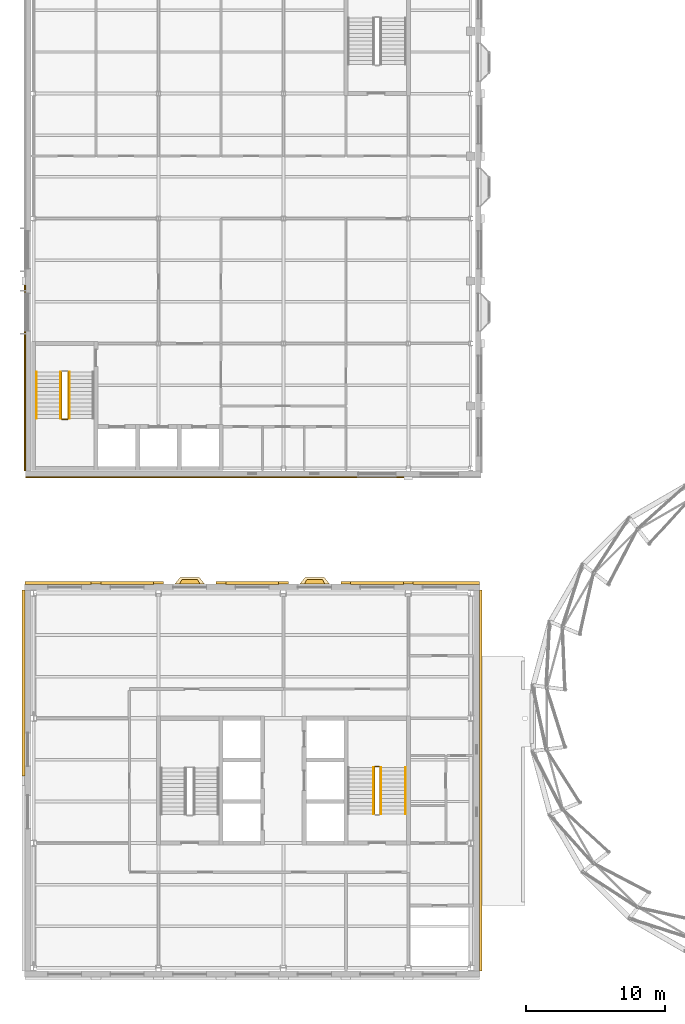
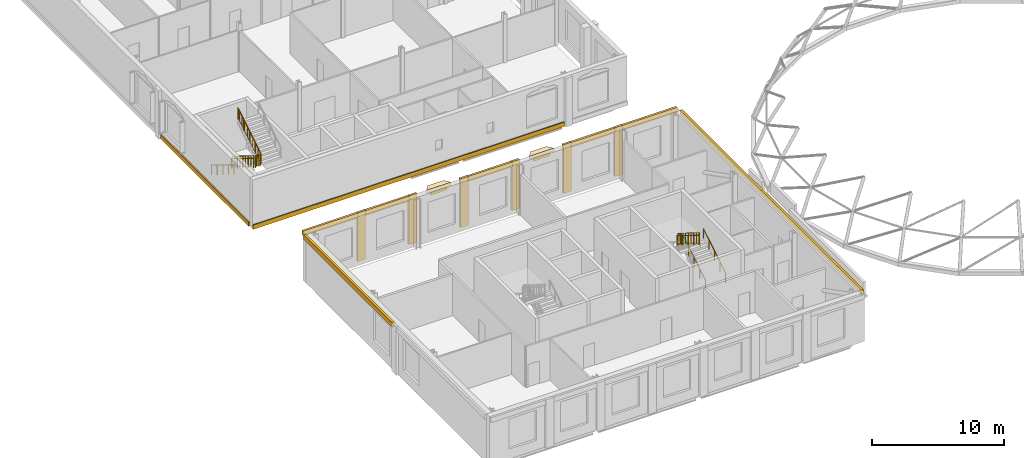
# One storey, part 50 of 59: 19 coverings, 11 railings.
"""IFC4 building model written with IfcOpenShell, lengths in metres."""

from ifc_helpers import new_model, si_unit, direction, frame, origin, origin_2d, place, context, subcontext, project, spatial, polyline, rectangle, circle, outline, extrude, material, layer, layer_set, type_object, element, save


model = new_model("IFC4")

# Units and contexts
model_context = context("Model", 3, precision=1e-05, world=origin(), true_north=direction((0.0, 1.0)))
body_context = subcontext(model_context, "Body", "Model", "MODEL_VIEW")
ifc_project = project(units=[si_unit("LENGTHUNIT", "METRE"), si_unit("AREAUNIT", "SQUARE_METRE"), si_unit("VOLUMEUNIT", "CUBIC_METRE"), si_unit("PLANEANGLEUNIT", "RADIAN"), si_unit("MASSUNIT", "GRAM", prefix="KILO")], contexts=[model_context])

# Site, building, storey
site_placement = place(None, origin())
site = spatial("IfcSite", under=ifc_project, at=site_placement, CompositionType="ELEMENT")
building_placement = place(site_placement, origin())
building = spatial("IfcBuilding", under=site, at=building_placement, Name="Hortulan Conservatory and Botanical Research Centre", CompositionType="ELEMENT")
storey_placement = place(building_placement, frame((0.0, 0.0, 10.5)))
storey = spatial("IfcBuildingStorey", under=building, at=storey_placement, Name="L02", CompositionType="ELEMENT", Elevation=10.5)

# Coverings
ifc_material_1 = material(Name="Faience cladding, harbour teal glaze (non-combustible)", Category="ceramic")
ifc_layer_1 = layer(ifc_material_1, 0.10009765625)
ifc_layer_set_1 = layer_set([ifc_layer_1], Name="Faience String Course 400x100 Teal")
covering_type_1 = type_object("IfcCoveringType", Name="Faience String Course 400x100 Teal", PredefinedType="CLADDING", material=ifc_layer_set_1)
covering_1_placement = place(storey_placement, frame((13.05029296875, 35.364501953125, 0.0), z_axis=(0.0, 0.0, 1.0), x_axis=(-1.0, 0.0, 0.0)))
element("IfcCovering", 1, at=covering_1_placement, inside=storey, type_object=covering_type_1, Name="String course", PredefinedType="CLADDING", context=body_context, shape_type="SweptSolid", body=[
    extrude(rectangle(XDim=27.259521484375, YDim=0.10009765625, at=origin_2d()), origin(), (0.0, 0.0, 1.0), 0.39990234375),
])
covering_2_placement = place(storey_placement, frame((-0.62939453125, 42.500244140625, 0.0), z_axis=(0.0, 0.0, 1.0), x_axis=(0.0, 1.0, 0.0)))
element("IfcCovering", 2, at=covering_2_placement, inside=storey, type_object=covering_type_1, Name="String course", PredefinedType="CLADDING", context=body_context, shape_type="SweptSolid", body=[
    extrude(rectangle(XDim=13.359619140625, YDim=0.10009765625, at=origin_2d()), origin(), (0.0, 0.0, 1.0), 0.39990234375),
])
ifc_material_2 = material(Name="Sandstone masonry (Hawkesbury yellow block)", Category="masonry")
ifc_layer_2 = layer(ifc_material_2, 0.199951171875)
ifc_layer_set_2 = layer_set([ifc_layer_2], Name="Sandstone Cornice Course 450x200")
covering_type_2 = type_object("IfcCoveringType", Name="Sandstone Cornice Course 450x200", PredefinedType="CLADDING", material=ifc_layer_set_2)
covering_3_placement = place(storey_placement, frame((-0.72509765625, 20.5224609375, 4.0498046875), z_axis=(0.0, 0.0, 1.0), x_axis=(0.0, 1.0, 0.0)))
element("IfcCovering", 3, at=covering_3_placement, inside=storey, type_object=covering_type_2, Name="String course", PredefinedType="CLADDING", context=body_context, shape_type="SweptSolid", body=[
    extrude(rectangle(XDim=13.405029296875, YDim=0.199951171875, at=origin_2d()), origin(), (0.0, 0.0, 1.0), 0.449951171875),
])
covering_4_placement = place(storey_placement, frame((1.777587890625, 27.736083984375, 4.0498046875), z_axis=(0.0, 0.0, 1.0), x_axis=(1.0, 0.0, 0.0)))
element("IfcCovering", 4, at=covering_4_placement, inside=storey, type_object=covering_type_2, Name="String course", PredefinedType="CLADDING", context=body_context, shape_type="SweptSolid", body=[
    extrude(rectangle(XDim=4.804931640625, YDim=0.199951171875, at=origin_2d()), origin(), (0.0, 0.0, 1.0), 0.449951171875),
])
for number, where, z_axis, x_axis, name in (
    (5, (6.75, 27.736083984375, 4.0498046875), (0.0, 0.0, 1.0), (1.0, 0.0, 0.0), "String course"),
    (6, (15.75, 27.736083984375, 4.0498046875), (0.0, 0.0, 1.0), (1.0, 0.0, 0.0), "String course"),
    (7, (24.75, 27.736083984375, 4.0498046875), (0.0, 0.0, 1.0), (1.0, 0.0, 0.0), "String course"),
):
    element("IfcCovering", number, at=place(storey_placement, frame(where, z_axis=z_axis, x_axis=x_axis)), inside=storey, type_object=covering_type_2, Name=name, PredefinedType="CLADDING", context=body_context, shape_type="SweptSolid", body=[
        extrude(rectangle(XDim=3.860107421875, YDim=0.199951171875, at=origin_2d()), origin(), (0.0, 0.0, 1.0), 0.449951171875),
    ])
covering_5_placement = place(storey_placement, frame((29.722412109375, 27.736083984375, 4.0498046875), z_axis=(0.0, 0.0, 1.0), x_axis=(1.0, 0.0, 0.0)))
element("IfcCovering", 8, at=covering_5_placement, inside=storey, type_object=covering_type_2, Name="String course", PredefinedType="CLADDING", context=body_context, shape_type="SweptSolid", body=[
    extrude(rectangle(XDim=4.804931640625, YDim=0.199951171875, at=origin_2d()), origin(), (0.0, 0.0, 1.0), 0.449951171875),
])
covering_6_placement = place(storey_placement, frame((32.22509765625, 13.5, 4.0498046875), z_axis=(0.0, 0.0, 1.0), x_axis=(0.0, -1.0, 0.0)))
element("IfcCovering", 9, at=covering_6_placement, inside=storey, type_object=covering_type_2, Name="String course", PredefinedType="CLADDING", context=body_context, shape_type="SweptSolid", body=[
    extrude(rectangle(XDim=27.449951171875, YDim=0.199951171875, at=origin_2d()), origin(), (0.0, 0.0, 1.0), 0.449951171875),
])
covering_type_3 = type_object("IfcCoveringType", Name="Sandstone Oriel Corbel", PredefinedType="CLADDING", material=ifc_material_2)
covering_7_placement = place(storey_placement, frame((0.0, 0.0, 4.199951171875)))
element("IfcCovering", 10, at=covering_7_placement, inside=storey, type_object=covering_type_3, Name="Oriel corbel", PredefinedType="CLADDING", context=body_context, shape_type="SweptSolid", body=[
    extrude(outline(polyline([(10.169921875, 27.660888671875), (10.553955078125, 28.14111328125), (11.946044921875, 28.14111328125), (12.330078125, 27.660888671875), (10.169921875, 27.660888671875)])), origin(), (0.0, 0.0, 1.0), 0.300048828125),
])
covering_8_placement = place(storey_placement, frame((0.0, 0.0, 3.89990234375)))
element("IfcCovering", 11, at=covering_8_placement, inside=storey, type_object=covering_type_3, Name="Oriel corbel", PredefinedType="CLADDING", context=body_context, shape_type="SweptSolid", body=[
    extrude(outline(polyline([(10.507568359375, 27.660888671875), (10.68896484375, 27.990966796875), (11.81103515625, 27.990966796875), (11.992431640625, 27.660888671875), (10.507568359375, 27.660888671875)])), origin(), (0.0, 0.0, 1.0), 0.300048828125),
])
covering_9_placement = place(storey_placement, frame((0.0, 0.0, 4.199951171875)))
element("IfcCovering", 12, at=covering_9_placement, inside=storey, type_object=covering_type_3, Name="Oriel corbel", PredefinedType="CLADDING", context=body_context, shape_type="SweptSolid", body=[
    extrude(outline(polyline([(19.169921875, 27.660888671875), (19.553955078125, 28.14111328125), (20.946044921875, 28.14111328125), (21.330078125, 27.660888671875), (19.169921875, 27.660888671875)])), origin(), (0.0, 0.0, 1.0), 0.300048828125),
])
covering_10_placement = place(storey_placement, frame((0.0, 0.0, 3.89990234375)))
element("IfcCovering", 13, at=covering_10_placement, inside=storey, type_object=covering_type_3, Name="Oriel corbel", PredefinedType="CLADDING", context=body_context, shape_type="SweptSolid", body=[
    extrude(outline(polyline([(19.507568359375, 27.660888671875), (19.68896484375, 27.990966796875), (20.81103515625, 27.990966796875), (20.992431640625, 27.660888671875), (19.507568359375, 27.660888671875)])), origin(), (0.0, 0.0, 1.0), 0.300048828125),
])
ifc_layer_3 = layer(ifc_material_2, 0.199951171875)
ifc_layer_set_3 = layer_set([ifc_layer_3], Name="Sandstone Pilaster 700x200")
covering_type_4 = type_object("IfcCoveringType", Name="Sandstone Pilaster 700x200", PredefinedType="CLADDING", material=ifc_layer_set_3)
for number, where, z_axis, x_axis, name in (
    (14, (4.5, 27.760986328125, 0.0), (0.0, 0.0, 1.0), (1.0, 0.0, 0.0), "Pier"),
    (15, (9.0, 27.760986328125, 0.0), (0.0, 0.0, 1.0), (1.0, 0.0, 0.0), "Pier"),
    (16, (13.5, 27.760986328125, 0.0), (0.0, 0.0, 1.0), (1.0, 0.0, 0.0), "Pier"),
    (17, (18.0, 27.760986328125, 0.0), (0.0, 0.0, 1.0), (1.0, 0.0, 0.0), "Pier"),
    (18, (22.5, 27.760986328125, 0.0), (0.0, 0.0, 1.0), (1.0, 0.0, 0.0), "Pier"),
    (19, (27.0, 27.760986328125, 0.0), (0.0, 0.0, 1.0), (1.0, 0.0, 0.0), "Pier"),
):
    element("IfcCovering", number, at=place(storey_placement, frame(where, z_axis=z_axis, x_axis=x_axis)), inside=storey, type_object=covering_type_4, Name=name, PredefinedType="CLADDING", context=body_context, shape_type="SweptSolid", body=[
        extrude(rectangle(XDim=0.699951171875, YDim=0.199951171875, at=origin_2d()), origin(), (0.0, 0.0, 1.0), 4.5),
    ])

# Railings
ifc_material_3 = material(Name="Steel balustrade, bronze-charcoal paint", Category="steel")
railing_type_1 = type_object("IfcRailingType", Name="Stair Guard 1100", PredefinedType="GUARDRAIL", material=ifc_material_3)
railing_1_placement = place(storey_placement, frame((24.89990234375, 14.510009765625, 2.25)))
element("IfcRailing", 20, at=railing_1_placement, inside=storey, type_object=railing_type_1, Name="Guard T2 L02 stair 2", PredefinedType="GUARDRAIL", context=body_context, shape_type="SweptSolid", body=[
    extrude(circle(Radius=0.02392578125, at=origin_2d()), frame((0.0, 0.0, 1.076171875), z_axis=(-1.0, 0.0, 0.0), x_axis=(0.0, -1.0, 0.0)), (0.0, 0.0, 1.0), 0.2998046875),
    extrude(circle(Radius=0.02392578125, at=origin_2d()), frame((0.0, 0.0, 0.1240234375), z_axis=(-1.0, 0.0, 0.0), x_axis=(0.0, -1.0, 0.0)), (0.0, 0.0, 1.0), 0.2998046875),
    extrude(circle(Radius=0.008056640625, at=origin_2d()), frame((-0.099853515625, 0.0, 0.148193359375)), (0.0, 0.0, 1.0), 0.90380859375),
    extrude(circle(Radius=0.008056640625, at=origin_2d()), frame((-0.199951171875, 0.0, 0.148193359375)), (0.0, 0.0, 1.0), 0.90380859375),
    extrude(circle(Radius=0.02099609375, at=origin_2d()), origin(), (0.0, 0.0, 1.0), 1.052001953125),
    extrude(circle(Radius=0.02099609375, at=origin_2d()), frame((-0.2998046875, 0.0, 0.0)), (0.0, 0.0, 1.0), 1.052001953125),
])
railing_2_placement = place(storey_placement, frame((24.550048828125, 14.4599609375, 2.423095703125)))
element("IfcRailing", 21, at=railing_2_placement, inside=storey, type_object=railing_type_1, Name="Guard T2 L02 stair 3", PredefinedType="GUARDRAIL", context=body_context, shape_type="SweptSolid", body=[
    extrude(circle(Radius=0.02392578125, at=origin_2d()), frame((0.0, 0.0, 1.076171875), z_axis=(0.0, -0.850606129759, 0.525803396734), x_axis=(1.0, 0.0, 0.0)), (0.0, 0.0, 1.0), 3.949951171875),
    extrude(circle(Radius=0.02392578125, at=origin_2d()), frame((0.0, 0.0, 0.1240234375), z_axis=(0.0, -0.850606129759, 0.525803396734), x_axis=(1.0, 0.0, 0.0)), (0.0, 0.0, 1.0), 3.949951171875),
    extrude(circle(Radius=0.008056640625, at=origin_2d()), frame((0.0, -0.09326171875, 0.205810546875)), (0.0, 0.0, 1.0), 0.90380859375),
    extrude(circle(Radius=0.008056640625, at=origin_2d()), frame((0.0, -0.186767578125, 0.263671875)), (0.0, 0.0, 1.0), 0.90380859375),
    extrude(circle(Radius=0.008056640625, at=origin_2d()), frame((0.0, -0.280029296875, 0.3212890625)), (0.0, 0.0, 1.0), 0.90380859375),
    extrude(circle(Radius=0.008056640625, at=origin_2d()), frame((0.0, -0.373291015625, 0.37890625)), (0.0, 0.0, 1.0), 0.90380859375),
    extrude(circle(Radius=0.008056640625, at=origin_2d()), frame((0.0, -0.466552734375, 0.436767578125)), (0.0, 0.0, 1.0), 0.90380859375),
    extrude(circle(Radius=0.008056640625, at=origin_2d()), frame((0.0, -0.56005859375, 0.494384765625)), (0.0, 0.0, 1.0), 0.90380859375),
    extrude(circle(Radius=0.008056640625, at=origin_2d()), frame((0.0, -0.6533203125, 0.552001953125)), (0.0, 0.0, 1.0), 0.90380859375),
    extrude(circle(Radius=0.008056640625, at=origin_2d()), frame((0.0, -0.74658203125, 0.609619140625)), (0.0, 0.0, 1.0), 0.90380859375),
    extrude(circle(Radius=0.008056640625, at=origin_2d()), frame((0.0, -0.83984375, 0.66748046875)), (0.0, 0.0, 1.0), 0.90380859375),
    extrude(circle(Radius=0.008056640625, at=origin_2d()), frame((0.0, -0.933349609375, 0.72509765625)), (0.0, 0.0, 1.0), 0.90380859375),
    extrude(circle(Radius=0.008056640625, at=origin_2d()), frame((0.0, -1.026611328125, 0.78271484375)), (0.0, 0.0, 1.0), 0.90380859375),
    extrude(circle(Radius=0.008056640625, at=origin_2d()), frame((0.0, -1.119873046875, 0.840576171875)), (0.0, 0.0, 1.0), 0.90380859375),
    extrude(circle(Radius=0.008056640625, at=origin_2d()), frame((0.0, -1.21337890625, 0.898193359375)), (0.0, 0.0, 1.0), 0.90380859375),
    extrude(circle(Radius=0.008056640625, at=origin_2d()), frame((0.0, -1.306640625, 0.955810546875)), (0.0, 0.0, 1.0), 0.90380859375),
    extrude(circle(Radius=0.008056640625, at=origin_2d()), frame((0.0, -1.39990234375, 1.013671875)), (0.0, 0.0, 1.0), 0.90380859375),
    extrude(circle(Radius=0.008056640625, at=origin_2d()), frame((0.0, -1.4931640625, 1.0712890625)), (0.0, 0.0, 1.0), 0.90380859375),
    extrude(circle(Radius=0.008056640625, at=origin_2d()), frame((0.0, -1.586669921875, 1.12890625)), (0.0, 0.0, 1.0), 0.90380859375),
    extrude(circle(Radius=0.008056640625, at=origin_2d()), frame((0.0, -1.679931640625, 1.1865234375)), (0.0, 0.0, 1.0), 0.90380859375),
    extrude(circle(Radius=0.008056640625, at=origin_2d()), frame((0.0, -1.773193359375, 1.244384765625)), (0.0, 0.0, 1.0), 0.90380859375),
    extrude(circle(Radius=0.008056640625, at=origin_2d()), frame((0.0, -1.86669921875, 1.302001953125)), (0.0, 0.0, 1.0), 0.90380859375),
    extrude(circle(Radius=0.008056640625, at=origin_2d()), frame((0.0, -1.9599609375, 1.359619140625)), (0.0, 0.0, 1.0), 0.90380859375),
    extrude(circle(Radius=0.008056640625, at=origin_2d()), frame((0.0, -2.05322265625, 1.41748046875)), (0.0, 0.0, 1.0), 0.90380859375),
    extrude(circle(Radius=0.008056640625, at=origin_2d()), frame((0.0, -2.146484375, 1.47509765625)), (0.0, 0.0, 1.0), 0.90380859375),
    extrude(circle(Radius=0.008056640625, at=origin_2d()), frame((0.0, -2.239990234375, 1.53271484375)), (0.0, 0.0, 1.0), 0.90380859375),
    extrude(circle(Radius=0.008056640625, at=origin_2d()), frame((0.0, -2.333251953125, 1.590576171875)), (0.0, 0.0, 1.0), 0.90380859375),
    extrude(circle(Radius=0.008056640625, at=origin_2d()), frame((0.0, -2.426513671875, 1.648193359375)), (0.0, 0.0, 1.0), 0.90380859375),
    extrude(circle(Radius=0.008056640625, at=origin_2d()), frame((0.0, -2.52001953125, 1.705810546875)), (0.0, 0.0, 1.0), 0.90380859375),
    extrude(circle(Radius=0.008056640625, at=origin_2d()), frame((0.0, -2.61328125, 1.763671875)), (0.0, 0.0, 1.0), 0.90380859375),
    extrude(circle(Radius=0.008056640625, at=origin_2d()), frame((0.0, -2.70654296875, 1.8212890625)), (0.0, 0.0, 1.0), 0.90380859375),
    extrude(circle(Radius=0.008056640625, at=origin_2d()), frame((0.0, -2.7998046875, 1.87890625)), (0.0, 0.0, 1.0), 0.90380859375),
    extrude(circle(Radius=0.008056640625, at=origin_2d()), frame((0.0, -2.893310546875, 1.9365234375)), (0.0, 0.0, 1.0), 0.90380859375),
    extrude(circle(Radius=0.008056640625, at=origin_2d()), frame((0.0, -2.986572265625, 1.994384765625)), (0.0, 0.0, 1.0), 0.90380859375),
    extrude(circle(Radius=0.008056640625, at=origin_2d()), frame((0.0, -3.079833984375, 2.052001953125)), (0.0, 0.0, 1.0), 0.90380859375),
    extrude(circle(Radius=0.008056640625, at=origin_2d()), frame((0.0, -3.173095703125, 2.109619140625)), (0.0, 0.0, 1.0), 0.90380859375),
    extrude(circle(Radius=0.008056640625, at=origin_2d()), frame((0.0, -3.2666015625, 2.16748046875)), (0.0, 0.0, 1.0), 0.90380859375),
    extrude(circle(Radius=0.02099609375, at=origin_2d()), origin(), (0.0, 0.0, 1.0), 1.052001953125),
    extrude(circle(Radius=0.02099609375, at=origin_2d()), frame((0.0, -0.83984375, 0.519287109375)), (0.0, 0.0, 1.0), 1.052001953125),
    extrude(circle(Radius=0.02099609375, at=origin_2d()), frame((0.0, -1.679931640625, 1.03857421875)), (0.0, 0.0, 1.0), 1.052001953125),
    extrude(circle(Radius=0.02099609375, at=origin_2d()), frame((0.0, -2.52001953125, 1.5576171875)), (0.0, 0.0, 1.0), 1.052001953125),
    extrude(circle(Radius=0.02099609375, at=origin_2d()), frame((0.0, -3.35986328125, 2.076904296875)), (0.0, 0.0, 1.0), 1.052001953125),
])
railing_3_placement = place(storey_placement, frame((2.0, 42.949951171875, 0.173095703125)))
element("IfcRailing", 22, at=railing_3_placement, inside=storey, type_object=railing_type_1, Name="Guard V1 L02 stair 1", PredefinedType="GUARDRAIL", context=body_context, shape_type="SweptSolid", body=[
    extrude(circle(Radius=0.02392578125, at=origin_2d()), frame((0.0, 0.0, 1.076171875), z_axis=(0.0, -0.850606129759, 0.525803396734), x_axis=(1.0, 0.0, 0.0)), (0.0, 0.0, 1.0), 3.949951171875),
    extrude(circle(Radius=0.02392578125, at=origin_2d()), frame((0.0, 0.0, 0.1240234375), z_axis=(0.0, -0.850606129759, 0.525803396734), x_axis=(1.0, 0.0, 0.0)), (0.0, 0.0, 1.0), 3.949951171875),
    extrude(circle(Radius=0.008056640625, at=origin_2d()), frame((0.0, -0.09326171875, 0.205810546875)), (0.0, 0.0, 1.0), 0.90380859375),
    extrude(circle(Radius=0.008056640625, at=origin_2d()), frame((0.0, -0.186767578125, 0.263671875)), (0.0, 0.0, 1.0), 0.90380859375),
    extrude(circle(Radius=0.008056640625, at=origin_2d()), frame((0.0, -0.280029296875, 0.3212890625)), (0.0, 0.0, 1.0), 0.90380859375),
    extrude(circle(Radius=0.008056640625, at=origin_2d()), frame((0.0, -0.373291015625, 0.37890625)), (0.0, 0.0, 1.0), 0.90380859375),
    extrude(circle(Radius=0.008056640625, at=origin_2d()), frame((0.0, -0.466552734375, 0.436767578125)), (0.0, 0.0, 1.0), 0.90380859375),
    extrude(circle(Radius=0.008056640625, at=origin_2d()), frame((0.0, -0.56005859375, 0.494384765625)), (0.0, 0.0, 1.0), 0.90380859375),
    extrude(circle(Radius=0.008056640625, at=origin_2d()), frame((0.0, -0.6533203125, 0.552001953125)), (0.0, 0.0, 1.0), 0.90380859375),
    extrude(circle(Radius=0.008056640625, at=origin_2d()), frame((0.0, -0.74658203125, 0.609619140625)), (0.0, 0.0, 1.0), 0.90380859375),
    extrude(circle(Radius=0.008056640625, at=origin_2d()), frame((0.0, -0.83984375, 0.66748046875)), (0.0, 0.0, 1.0), 0.90380859375),
    extrude(circle(Radius=0.008056640625, at=origin_2d()), frame((0.0, -0.933349609375, 0.72509765625)), (0.0, 0.0, 1.0), 0.90380859375),
    extrude(circle(Radius=0.008056640625, at=origin_2d()), frame((0.0, -1.026611328125, 0.78271484375)), (0.0, 0.0, 1.0), 0.90380859375),
    extrude(circle(Radius=0.008056640625, at=origin_2d()), frame((0.0, -1.119873046875, 0.840576171875)), (0.0, 0.0, 1.0), 0.90380859375),
    extrude(circle(Radius=0.008056640625, at=origin_2d()), frame((0.0, -1.21337890625, 0.898193359375)), (0.0, 0.0, 1.0), 0.90380859375),
    extrude(circle(Radius=0.008056640625, at=origin_2d()), frame((0.0, -1.306640625, 0.955810546875)), (0.0, 0.0, 1.0), 0.90380859375),
    extrude(circle(Radius=0.008056640625, at=origin_2d()), frame((0.0, -1.39990234375, 1.013671875)), (0.0, 0.0, 1.0), 0.90380859375),
    extrude(circle(Radius=0.008056640625, at=origin_2d()), frame((0.0, -1.4931640625, 1.0712890625)), (0.0, 0.0, 1.0), 0.90380859375),
    extrude(circle(Radius=0.008056640625, at=origin_2d()), frame((0.0, -1.586669921875, 1.12890625)), (0.0, 0.0, 1.0), 0.90380859375),
    extrude(circle(Radius=0.008056640625, at=origin_2d()), frame((0.0, -1.679931640625, 1.1865234375)), (0.0, 0.0, 1.0), 0.90380859375),
    extrude(circle(Radius=0.008056640625, at=origin_2d()), frame((0.0, -1.773193359375, 1.244384765625)), (0.0, 0.0, 1.0), 0.90380859375),
    extrude(circle(Radius=0.008056640625, at=origin_2d()), frame((0.0, -1.86669921875, 1.302001953125)), (0.0, 0.0, 1.0), 0.90380859375),
    extrude(circle(Radius=0.008056640625, at=origin_2d()), frame((0.0, -1.9599609375, 1.359619140625)), (0.0, 0.0, 1.0), 0.90380859375),
    extrude(circle(Radius=0.008056640625, at=origin_2d()), frame((0.0, -2.05322265625, 1.41748046875)), (0.0, 0.0, 1.0), 0.90380859375),
    extrude(circle(Radius=0.008056640625, at=origin_2d()), frame((0.0, -2.146484375, 1.47509765625)), (0.0, 0.0, 1.0), 0.90380859375),
    extrude(circle(Radius=0.008056640625, at=origin_2d()), frame((0.0, -2.239990234375, 1.53271484375)), (0.0, 0.0, 1.0), 0.90380859375),
    extrude(circle(Radius=0.008056640625, at=origin_2d()), frame((0.0, -2.333251953125, 1.590576171875)), (0.0, 0.0, 1.0), 0.90380859375),
    extrude(circle(Radius=0.008056640625, at=origin_2d()), frame((0.0, -2.426513671875, 1.648193359375)), (0.0, 0.0, 1.0), 0.90380859375),
    extrude(circle(Radius=0.008056640625, at=origin_2d()), frame((0.0, -2.52001953125, 1.705810546875)), (0.0, 0.0, 1.0), 0.90380859375),
    extrude(circle(Radius=0.008056640625, at=origin_2d()), frame((0.0, -2.61328125, 1.763671875)), (0.0, 0.0, 1.0), 0.90380859375),
    extrude(circle(Radius=0.008056640625, at=origin_2d()), frame((0.0, -2.70654296875, 1.8212890625)), (0.0, 0.0, 1.0), 0.90380859375),
    extrude(circle(Radius=0.008056640625, at=origin_2d()), frame((0.0, -2.7998046875, 1.87890625)), (0.0, 0.0, 1.0), 0.90380859375),
    extrude(circle(Radius=0.008056640625, at=origin_2d()), frame((0.0, -2.893310546875, 1.9365234375)), (0.0, 0.0, 1.0), 0.90380859375),
    extrude(circle(Radius=0.008056640625, at=origin_2d()), frame((0.0, -2.986572265625, 1.994384765625)), (0.0, 0.0, 1.0), 0.90380859375),
    extrude(circle(Radius=0.008056640625, at=origin_2d()), frame((0.0, -3.079833984375, 2.052001953125)), (0.0, 0.0, 1.0), 0.90380859375),
    extrude(circle(Radius=0.008056640625, at=origin_2d()), frame((0.0, -3.173095703125, 2.109619140625)), (0.0, 0.0, 1.0), 0.90380859375),
    extrude(circle(Radius=0.008056640625, at=origin_2d()), frame((0.0, -3.2666015625, 2.16748046875)), (0.0, 0.0, 1.0), 0.90380859375),
    extrude(circle(Radius=0.02099609375, at=origin_2d()), origin(), (0.0, 0.0, 1.0), 1.052001953125),
    extrude(circle(Radius=0.02099609375, at=origin_2d()), frame((0.0, -0.83984375, 0.519287109375)), (0.0, 0.0, 1.0), 1.052001953125),
    extrude(circle(Radius=0.02099609375, at=origin_2d()), frame((0.0, -1.679931640625, 1.03857421875)), (0.0, 0.0, 1.0), 1.052001953125),
    extrude(circle(Radius=0.02099609375, at=origin_2d()), frame((0.0, -2.52001953125, 1.5576171875)), (0.0, 0.0, 1.0), 1.052001953125),
    extrude(circle(Radius=0.02099609375, at=origin_2d()), frame((0.0, -3.35986328125, 2.076904296875)), (0.0, 0.0, 1.0), 1.052001953125),
])
railing_4_placement = place(storey_placement, frame((2.050048828125, 39.5400390625, 2.25)))
element("IfcRailing", 23, at=railing_4_placement, inside=storey, type_object=railing_type_1, Name="Guard V1 L02 stair 2", PredefinedType="GUARDRAIL", context=body_context, shape_type="SweptSolid", body=[
    extrude(circle(Radius=0.02392578125, at=origin_2d()), frame((0.0, 0.0, 1.076171875), z_axis=(1.0, 0.0, 0.0), x_axis=(0.0, 1.0, 0.0)), (0.0, 0.0, 1.0), 0.39990234375),
    extrude(circle(Radius=0.02392578125, at=origin_2d()), frame((0.0, 0.0, 0.1240234375), z_axis=(1.0, 0.0, 0.0), x_axis=(0.0, 1.0, 0.0)), (0.0, 0.0, 1.0), 0.39990234375),
    extrude(circle(Radius=0.008056640625, at=origin_2d()), frame((0.10009765625, 0.0, 0.148193359375)), (0.0, 0.0, 1.0), 0.90380859375),
    extrude(circle(Radius=0.008056640625, at=origin_2d()), frame((0.199951171875, 0.0, 0.148193359375)), (0.0, 0.0, 1.0), 0.90380859375),
    extrude(circle(Radius=0.008056640625, at=origin_2d()), frame((0.2998046875, 0.0, 0.148193359375)), (0.0, 0.0, 1.0), 0.90380859375),
    extrude(circle(Radius=0.02099609375, at=origin_2d()), origin(), (0.0, 0.0, 1.0), 1.052001953125),
    extrude(circle(Radius=0.02099609375, at=origin_2d()), frame((0.39990234375, 0.0, 0.0)), (0.0, 0.0, 1.0), 1.052001953125),
])
railing_5_placement = place(storey_placement, frame((2.5, 39.590087890625, 2.423095703125)))
element("IfcRailing", 24, at=railing_5_placement, inside=storey, type_object=railing_type_1, Name="Guard V1 L02 stair 3", PredefinedType="GUARDRAIL", context=body_context, shape_type="SweptSolid", body=[
    extrude(circle(Radius=0.02392578125, at=origin_2d()), frame((0.0, 0.0, 1.076171875), z_axis=(0.0, 0.850606129759, 0.525803396734), x_axis=(-1.0, 0.0, 0.0)), (0.0, 0.0, 1.0), 3.949951171875),
    extrude(circle(Radius=0.02392578125, at=origin_2d()), frame((0.0, 0.0, 0.1240234375), z_axis=(0.0, 0.850606129759, 0.525803396734), x_axis=(-1.0, 0.0, 0.0)), (0.0, 0.0, 1.0), 3.949951171875),
    extrude(circle(Radius=0.008056640625, at=origin_2d()), frame((0.0, 0.09326171875, 0.205810546875)), (0.0, 0.0, 1.0), 0.90380859375),
    extrude(circle(Radius=0.008056640625, at=origin_2d()), frame((0.0, 0.186767578125, 0.263671875)), (0.0, 0.0, 1.0), 0.90380859375),
    extrude(circle(Radius=0.008056640625, at=origin_2d()), frame((0.0, 0.280029296875, 0.3212890625)), (0.0, 0.0, 1.0), 0.90380859375),
    extrude(circle(Radius=0.008056640625, at=origin_2d()), frame((0.0, 0.373291015625, 0.37890625)), (0.0, 0.0, 1.0), 0.90380859375),
    extrude(circle(Radius=0.008056640625, at=origin_2d()), frame((0.0, 0.466552734375, 0.436767578125)), (0.0, 0.0, 1.0), 0.90380859375),
    extrude(circle(Radius=0.008056640625, at=origin_2d()), frame((0.0, 0.56005859375, 0.494384765625)), (0.0, 0.0, 1.0), 0.90380859375),
    extrude(circle(Radius=0.008056640625, at=origin_2d()), frame((0.0, 0.6533203125, 0.552001953125)), (0.0, 0.0, 1.0), 0.90380859375),
    extrude(circle(Radius=0.008056640625, at=origin_2d()), frame((0.0, 0.74658203125, 0.609619140625)), (0.0, 0.0, 1.0), 0.90380859375),
    extrude(circle(Radius=0.008056640625, at=origin_2d()), frame((0.0, 0.83984375, 0.66748046875)), (0.0, 0.0, 1.0), 0.90380859375),
    extrude(circle(Radius=0.008056640625, at=origin_2d()), frame((0.0, 0.933349609375, 0.72509765625)), (0.0, 0.0, 1.0), 0.90380859375),
    extrude(circle(Radius=0.008056640625, at=origin_2d()), frame((0.0, 1.026611328125, 0.78271484375)), (0.0, 0.0, 1.0), 0.90380859375),
    extrude(circle(Radius=0.008056640625, at=origin_2d()), frame((0.0, 1.119873046875, 0.840576171875)), (0.0, 0.0, 1.0), 0.90380859375),
    extrude(circle(Radius=0.008056640625, at=origin_2d()), frame((0.0, 1.21337890625, 0.898193359375)), (0.0, 0.0, 1.0), 0.90380859375),
    extrude(circle(Radius=0.008056640625, at=origin_2d()), frame((0.0, 1.306640625, 0.955810546875)), (0.0, 0.0, 1.0), 0.90380859375),
    extrude(circle(Radius=0.008056640625, at=origin_2d()), frame((0.0, 1.39990234375, 1.013671875)), (0.0, 0.0, 1.0), 0.90380859375),
    extrude(circle(Radius=0.008056640625, at=origin_2d()), frame((0.0, 1.4931640625, 1.0712890625)), (0.0, 0.0, 1.0), 0.90380859375),
    extrude(circle(Radius=0.008056640625, at=origin_2d()), frame((0.0, 1.586669921875, 1.12890625)), (0.0, 0.0, 1.0), 0.90380859375),
    extrude(circle(Radius=0.008056640625, at=origin_2d()), frame((0.0, 1.679931640625, 1.1865234375)), (0.0, 0.0, 1.0), 0.90380859375),
    extrude(circle(Radius=0.008056640625, at=origin_2d()), frame((0.0, 1.773193359375, 1.244384765625)), (0.0, 0.0, 1.0), 0.90380859375),
    extrude(circle(Radius=0.008056640625, at=origin_2d()), frame((0.0, 1.86669921875, 1.302001953125)), (0.0, 0.0, 1.0), 0.90380859375),
    extrude(circle(Radius=0.008056640625, at=origin_2d()), frame((0.0, 1.9599609375, 1.359619140625)), (0.0, 0.0, 1.0), 0.90380859375),
    extrude(circle(Radius=0.008056640625, at=origin_2d()), frame((0.0, 2.05322265625, 1.41748046875)), (0.0, 0.0, 1.0), 0.90380859375),
    extrude(circle(Radius=0.008056640625, at=origin_2d()), frame((0.0, 2.146484375, 1.47509765625)), (0.0, 0.0, 1.0), 0.90380859375),
    extrude(circle(Radius=0.008056640625, at=origin_2d()), frame((0.0, 2.239990234375, 1.53271484375)), (0.0, 0.0, 1.0), 0.90380859375),
    extrude(circle(Radius=0.008056640625, at=origin_2d()), frame((0.0, 2.333251953125, 1.590576171875)), (0.0, 0.0, 1.0), 0.90380859375),
    extrude(circle(Radius=0.008056640625, at=origin_2d()), frame((0.0, 2.426513671875, 1.648193359375)), (0.0, 0.0, 1.0), 0.90380859375),
    extrude(circle(Radius=0.008056640625, at=origin_2d()), frame((0.0, 2.52001953125, 1.705810546875)), (0.0, 0.0, 1.0), 0.90380859375),
    extrude(circle(Radius=0.008056640625, at=origin_2d()), frame((0.0, 2.61328125, 1.763671875)), (0.0, 0.0, 1.0), 0.90380859375),
    extrude(circle(Radius=0.008056640625, at=origin_2d()), frame((0.0, 2.70654296875, 1.8212890625)), (0.0, 0.0, 1.0), 0.90380859375),
    extrude(circle(Radius=0.008056640625, at=origin_2d()), frame((0.0, 2.7998046875, 1.87890625)), (0.0, 0.0, 1.0), 0.90380859375),
    extrude(circle(Radius=0.008056640625, at=origin_2d()), frame((0.0, 2.893310546875, 1.9365234375)), (0.0, 0.0, 1.0), 0.90380859375),
    extrude(circle(Radius=0.008056640625, at=origin_2d()), frame((0.0, 2.986572265625, 1.994384765625)), (0.0, 0.0, 1.0), 0.90380859375),
    extrude(circle(Radius=0.008056640625, at=origin_2d()), frame((0.0, 3.079833984375, 2.052001953125)), (0.0, 0.0, 1.0), 0.90380859375),
    extrude(circle(Radius=0.008056640625, at=origin_2d()), frame((0.0, 3.173095703125, 2.109619140625)), (0.0, 0.0, 1.0), 0.90380859375),
    extrude(circle(Radius=0.008056640625, at=origin_2d()), frame((0.0, 3.2666015625, 2.16748046875)), (0.0, 0.0, 1.0), 0.90380859375),
    extrude(circle(Radius=0.02099609375, at=origin_2d()), origin(), (0.0, 0.0, 1.0), 1.052001953125),
    extrude(circle(Radius=0.02099609375, at=origin_2d()), frame((0.0, 0.83984375, 0.519287109375)), (0.0, 0.0, 1.0), 1.052001953125),
    extrude(circle(Radius=0.02099609375, at=origin_2d()), frame((0.0, 1.679931640625, 1.03857421875)), (0.0, 0.0, 1.0), 1.052001953125),
    extrude(circle(Radius=0.02099609375, at=origin_2d()), frame((0.0, 2.52001953125, 1.5576171875)), (0.0, 0.0, 1.0), 1.052001953125),
    extrude(circle(Radius=0.02099609375, at=origin_2d()), frame((0.0, 3.35986328125, 2.076904296875)), (0.0, 0.0, 1.0), 1.052001953125),
])
ifc_material_4 = material(Name="Bronze handrail, polished", Category="metal")
railing_type_2 = type_object("IfcRailingType", Name="Stair Handrail 900", PredefinedType="HANDRAIL", material=ifc_material_4)
for number, where, name in (
    (25, (26.800048828125, 11.10009765625, 0.173095703125), "Handrail T2 L02 stair 1"),
    (26, (25.02001953125, 11.10009765625, 0.173095703125), "Handrail T2 L02 stair 3"),
):
    element("IfcRailing", number, at=place(storey_placement, frame(where)), inside=storey, type_object=railing_type_2, Name=name, PredefinedType="HANDRAIL", context=body_context, shape_type="SweptSolid", body=[
        extrude(circle(Radius=0.02392578125, at=origin_2d()), frame((0.0, 0.0, 0.8759765625), z_axis=(0.0, 0.850606129759, 0.525803396734), x_axis=(-1.0, 0.0, 0.0)), (0.0, 0.0, 1.0), 3.949951171875),
        extrude(circle(Radius=0.02099609375, at=origin_2d()), origin(), (0.0, 0.0, 1.0), 0.851806640625),
        extrude(circle(Radius=0.02099609375, at=origin_2d()), frame((0.0, 0.83984375, 0.519287109375)), (0.0, 0.0, 1.0), 0.851806640625),
        extrude(circle(Radius=0.02099609375, at=origin_2d()), frame((0.0, 1.679931640625, 1.03857421875)), (0.0, 0.0, 1.0), 0.851806640625),
        extrude(circle(Radius=0.02099609375, at=origin_2d()), frame((0.0, 2.52001953125, 1.5576171875)), (0.0, 0.0, 1.0), 0.851806640625),
        extrude(circle(Radius=0.02099609375, at=origin_2d()), frame((0.0, 3.35986328125, 2.076904296875)), (0.0, 0.0, 1.0), 0.851806640625),
    ])
for number, where, name in (
    (27, (24.47998046875, 14.4599609375, 2.423095703125), "Handrail T2 L02 stair 4"),
    (28, (0.199951171875, 42.949951171875, 0.173095703125), "Handrail V1 L02 stair 1"),
    (29, (1.929931640625, 42.949951171875, 0.173095703125), "Handrail V1 L02 stair 3"),
):
    element("IfcRailing", number, at=place(storey_placement, frame(where)), inside=storey, type_object=railing_type_2, Name=name, PredefinedType="HANDRAIL", context=body_context, shape_type="SweptSolid", body=[
        extrude(circle(Radius=0.02392578125, at=origin_2d()), frame((0.0, 0.0, 0.8759765625), z_axis=(0.0, -0.850606129759, 0.525803396734), x_axis=(1.0, 0.0, 0.0)), (0.0, 0.0, 1.0), 3.949951171875),
        extrude(circle(Radius=0.02099609375, at=origin_2d()), origin(), (0.0, 0.0, 1.0), 0.851806640625),
        extrude(circle(Radius=0.02099609375, at=origin_2d()), frame((0.0, -0.83984375, 0.519287109375)), (0.0, 0.0, 1.0), 0.851806640625),
        extrude(circle(Radius=0.02099609375, at=origin_2d()), frame((0.0, -1.679931640625, 1.03857421875)), (0.0, 0.0, 1.0), 0.851806640625),
        extrude(circle(Radius=0.02099609375, at=origin_2d()), frame((0.0, -2.52001953125, 1.5576171875)), (0.0, 0.0, 1.0), 0.851806640625),
        extrude(circle(Radius=0.02099609375, at=origin_2d()), frame((0.0, -3.35986328125, 2.076904296875)), (0.0, 0.0, 1.0), 0.851806640625),
    ])
railing_6_placement = place(storey_placement, frame((2.570068359375, 39.590087890625, 2.423095703125)))
element("IfcRailing", 30, at=railing_6_placement, inside=storey, type_object=railing_type_2, Name="Handrail V1 L02 stair 4", PredefinedType="HANDRAIL", context=body_context, shape_type="SweptSolid", body=[
    extrude(circle(Radius=0.02392578125, at=origin_2d()), frame((0.0, 0.0, 0.8759765625), z_axis=(0.0, 0.850606129759, 0.525803396734), x_axis=(-1.0, 0.0, 0.0)), (0.0, 0.0, 1.0), 3.949951171875),
    extrude(circle(Radius=0.02099609375, at=origin_2d()), origin(), (0.0, 0.0, 1.0), 0.851806640625),
    extrude(circle(Radius=0.02099609375, at=origin_2d()), frame((0.0, 0.83984375, 0.519287109375)), (0.0, 0.0, 1.0), 0.851806640625),
    extrude(circle(Radius=0.02099609375, at=origin_2d()), frame((0.0, 1.679931640625, 1.03857421875)), (0.0, 0.0, 1.0), 0.851806640625),
    extrude(circle(Radius=0.02099609375, at=origin_2d()), frame((0.0, 2.52001953125, 1.5576171875)), (0.0, 0.0, 1.0), 0.851806640625),
    extrude(circle(Radius=0.02099609375, at=origin_2d()), frame((0.0, 3.35986328125, 2.076904296875)), (0.0, 0.0, 1.0), 0.851806640625),
])

save(model, "model.ifc")
